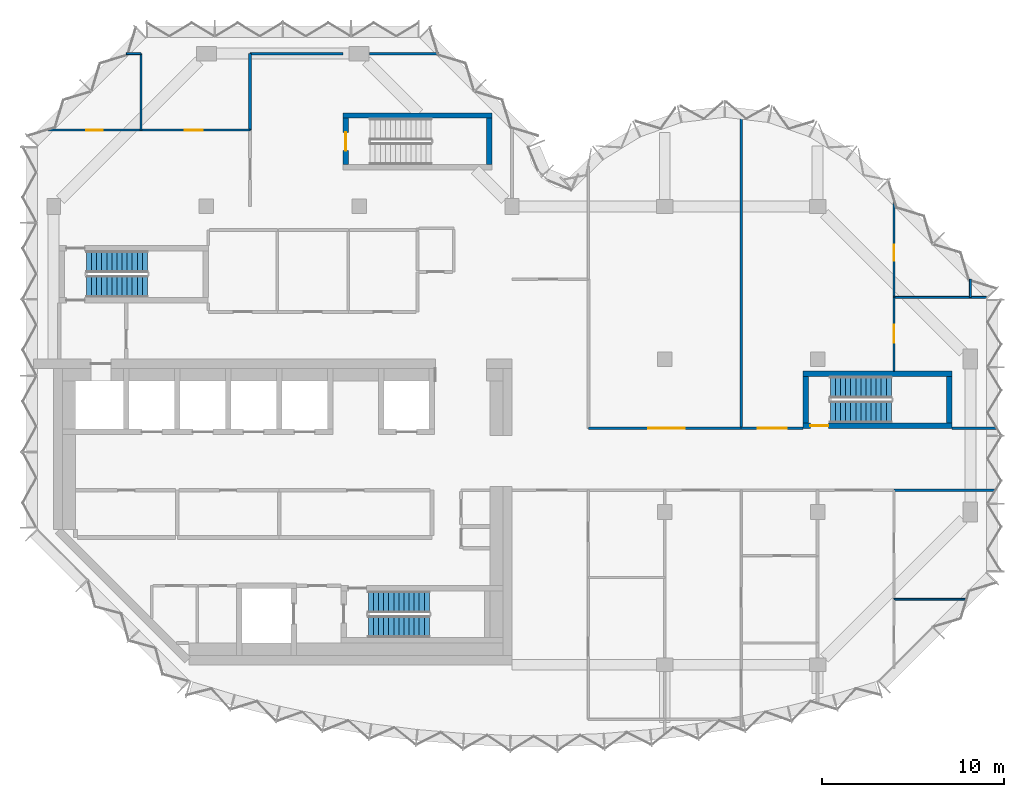
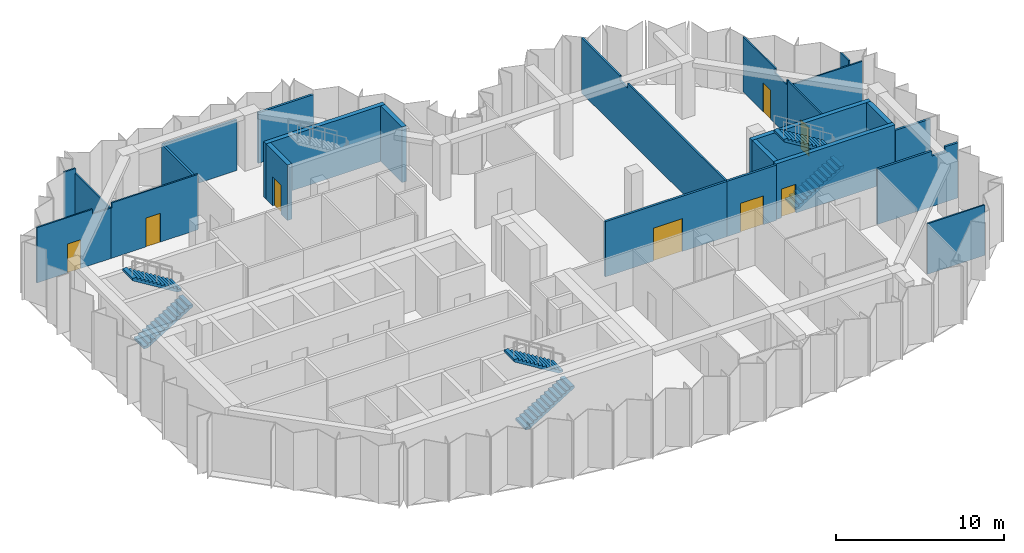
# One storey, part 7 of 10: 24 walls, 8 doors, 6 stair flights, 8 openings, 3 elements without a shape of their own.
"""IFC4 building model written with IfcOpenShell, lengths in metres."""

from ifc_helpers import new_model, si_unit, direction, frame, frame_2d, origin, place, context, subcontext, project, spatial, polyline, rectangle, outline, extrude, material, layer, layer_set, type_object, element, fill, aggregate, save


model = new_model("IFC4")

# Units and contexts
model_context = context("Model", 3, precision=1e-05, world=origin(), true_north=direction((0.0, 1.0)))
body_context = subcontext(model_context, "Body", "Model", "MODEL_VIEW")
ifc_project = project(units=[si_unit("LENGTHUNIT", "METRE"), si_unit("AREAUNIT", "SQUARE_METRE"), si_unit("VOLUMEUNIT", "CUBIC_METRE"), si_unit("PLANEANGLEUNIT", "RADIAN"), si_unit("MASSUNIT", "GRAM", prefix="KILO")], contexts=[model_context])

# Site, building, storey
site_placement = place(None, origin())
site = spatial("IfcSite", under=ifc_project, at=site_placement, CompositionType="ELEMENT")
building_placement = place(site_placement, origin())
building = spatial("IfcBuilding", under=site, at=building_placement, Name="Brevane Broadcast Tower", CompositionType="ELEMENT")
storey_placement = place(building_placement, frame((0.0, 0.0, 251.699951171875)))
storey = spatial("IfcBuildingStorey", under=building, at=storey_placement, Name="L64", CompositionType="ELEMENT", Elevation=251.699951171875)

# Wall
ifc_material_1 = material(Name="Concrete C50/60", Category="concrete")
ifc_layer_1 = layer(ifc_material_1, 0.300048828125)
ifc_layer_set_1 = layer_set([ifc_layer_1], Name="Core wall 300 mm C50/60")
wall_type_1 = type_object("IfcWallType", Name="Core wall 300 mm C50/60", PredefinedType="SHEAR", material=ifc_layer_set_1)
wall_1_placement = place(storey_placement, frame((15.89990234375, 30.199951171875, 0.0), z_axis=(0.0, 0.0, 1.0), x_axis=(1.0, 0.0, 0.0)))
element("IfcWall", 1, at=wall_1_placement, inside=storey, type_object=wall_type_1, Name="L64 stair wall ST-3-N", PredefinedType="SHEAR", context=body_context, shape_type="SweptSolid", body=[
    extrude(rectangle(XDim=8.2001953125, YDim=0.300048828125, at=frame_2d((4.10009765625, 0.0))), origin(), (0.0, 0.0, 1.0), 4.050048828125),
])

# Wall, opening, door
wall_2_placement = place(storey_placement, frame((16.050048828125, 27.5, 0.0), z_axis=(0.0, 0.0, 1.0), x_axis=(0.0, 1.0, 0.0)))
wall_2 = element("IfcWall", 2, at=wall_2_placement, inside=storey, type_object=wall_type_1, Name="L64 stair wall ST-3-W", PredefinedType="SHEAR", context=body_context, shape_type="SweptSolid", body=[
    extrude(rectangle(XDim=2.550048828125, YDim=0.300048828125, at=frame_2d((1.27490234375, 0.0))), origin(), (0.0, 0.0, 1.0), 4.050048828125),
])
opening_1_placement = place(wall_2_placement, frame((0.77490234375, 0.0, 0.0)))
opening_1 = element("IfcOpeningElement", 3, at=opening_1_placement, cuts=wall_2, Name="Opening L64-K12", PredefinedType="OPENING", context=body_context, shape_type="SweptSolid", body=[
    extrude(rectangle(XDim=1.0, YDim=2.10009765625, at=frame_2d((0.5, 1.050048828125))), frame((0.0, 0.159912109375, 0.0), z_axis=(0.0, -1.0, 0.0), x_axis=(1.0, 0.0, 0.0)), (0.0, 0.0, 1.0), 0.320068359375),
])
ifc_material_2 = material(Name="Steel", Category="steel")
door_type_1 = type_object("IfcDoorType", Name="Stair door 1000 x 2100", OperationType="SINGLE_SWING_LEFT", PredefinedType="DOOR", material=ifc_material_2)
door_1_placement = place(opening_1_placement, origin())
door_1 = element("IfcDoor", 4, at=door_1_placement, inside=storey, type_object=door_type_1, Name="Door L64-K12", OperationType="SINGLE_SWING_RIGHT", OverallHeight=2.10009765625, OverallWidth=1.0, PredefinedType="DOOR", context=body_context, shape_type="SweptSolid", body=[
    extrude(rectangle(XDim=1.0, YDim=2.10009765625, at=frame_2d((0.5, 1.050048828125))), frame((0.0, 0.02490234375, 0.0), z_axis=(0.0, -1.0, 0.0), x_axis=(1.0, 0.0, 0.0)), (0.0, 0.0, 1.0), 0.050048828125),
])
fill(opening_1, door_1)

# Wall
wall_3_placement = place(storey_placement, frame((23.949951171875, 27.5, 0.0), z_axis=(0.0, 0.0, 1.0), x_axis=(0.0, 1.0, 0.0)))
element("IfcWall", 5, at=wall_3_placement, inside=storey, type_object=wall_type_1, Name="L64 stair wall ST-3-E", PredefinedType="SHEAR", context=body_context, shape_type="SweptSolid", body=[
    extrude(rectangle(XDim=2.550048828125, YDim=0.300048828125, at=frame_2d((1.27490234375, 0.0))), origin(), (0.0, 0.0, 1.0), 4.050048828125),
])

# Wall, opening, door
wall_4_placement = place(storey_placement, frame((49.39990234375, 13.14990234375, 0.0), z_axis=(0.0, 0.0, 1.0), x_axis=(-1.0, 0.0, 0.0)))
wall_4 = element("IfcWall", 6, at=wall_4_placement, inside=storey, type_object=wall_type_1, Name="L64 stair wall ST-4-S", PredefinedType="SHEAR", context=body_context, shape_type="SweptSolid", body=[
    extrude(rectangle(XDim=8.199951171875, YDim=0.300048828125, at=frame_2d((4.10009765625, 0.0))), origin(), (0.0, 0.0, 1.0), 4.050048828125),
])
opening_2_placement = place(wall_4_placement, frame((6.800048828125, 0.0, 0.0)))
opening_2 = element("IfcOpeningElement", 7, at=opening_2_placement, cuts=wall_4, Name="Opening L64-K13", PredefinedType="OPENING", context=body_context, shape_type="SweptSolid", body=[
    extrude(rectangle(XDim=1.0, YDim=2.10009765625, at=frame_2d((0.5, 1.050048828125))), frame((0.0, 0.159912109375, 0.0), z_axis=(0.0, -1.0, 0.0), x_axis=(1.0, 0.0, 0.0)), (0.0, 0.0, 1.0), 0.320068359375),
])
door_2_placement = place(opening_2_placement, origin())
door_2 = element("IfcDoor", 8, at=door_2_placement, inside=storey, type_object=door_type_1, Name="Door L64-K13", OperationType="SINGLE_SWING_LEFT", OverallHeight=2.10009765625, OverallWidth=1.0, PredefinedType="DOOR", context=body_context, shape_type="SweptSolid", body=[
    extrude(rectangle(XDim=1.0, YDim=2.10009765625, at=frame_2d((0.5, 1.050048828125))), frame((0.0, 0.02490234375, 0.0), z_axis=(0.0, -1.0, 0.0), x_axis=(1.0, 0.0, 0.0)), (0.0, 0.0, 1.0), 0.050048828125),
])
fill(opening_2, door_2)

# Walls
wall_5_placement = place(storey_placement, frame((41.199951171875, 16.0, 0.0), z_axis=(0.0, 0.0, 1.0), x_axis=(1.0, 0.0, 0.0)))
element("IfcWall", 9, at=wall_5_placement, inside=storey, type_object=wall_type_1, Name="L64 stair wall ST-4-N", PredefinedType="SHEAR", context=body_context, shape_type="SweptSolid", body=[
    extrude(rectangle(XDim=8.199951171875, YDim=0.300048828125, at=frame_2d((4.10009765625, 0.0))), origin(), (0.0, 0.0, 1.0), 4.050048828125),
])
for number, where, z_axis, x_axis, name in (
    (10, (41.35009765625, 13.300048828125, 0.0), (0.0, 0.0, 1.0), (0.0, 1.0, 0.0), "L64 stair wall ST-4-W"),
    (11, (49.25, 13.300048828125, 0.0), (0.0, 0.0, 1.0), (0.0, 1.0, 0.0), "L64 stair wall ST-4-E"),
):
    element("IfcWall", number, at=place(storey_placement, frame(where, z_axis=z_axis, x_axis=x_axis)), inside=storey, type_object=wall_type_1, Name=name, PredefinedType="SHEAR", context=body_context, shape_type="SweptSolid", body=[
        extrude(rectangle(XDim=2.550048828125, YDim=0.300048828125, at=frame_2d((1.27490234375, 0.0))), origin(), (0.0, 0.0, 1.0), 4.050048828125),
    ])
ifc_material_3 = material(Name="Gypsum board partition")
ifc_layer_2 = layer(ifc_material_3, 0.10009765625)
ifc_layer_set_2 = layer_set([ifc_layer_2], Name="PARTITION 100 STUD")
wall_type_2 = type_object("IfcWallType", Name="PARTITION 100 STUD", PredefinedType="PARTITIONING", material=ifc_layer_set_2)
wall_6_placement = place(storey_placement, frame((46.199951171875, 3.60009765625, 0.0), z_axis=(0.0, 0.0, 1.0), x_axis=(1.0, 0.0, 0.0)))
element("IfcWall", 12, at=wall_6_placement, inside=storey, type_object=wall_type_2, Name="Partition S3-035", PredefinedType="PARTITIONING", context=body_context, shape_type="SweptSolid", body=[
    extrude(rectangle(XDim=3.9384765625, YDim=0.10009765625, at=frame_2d((1.96923828125, 0.0))), origin(), (0.0, 0.0, 1.0), 3.679931640625),
])

# Wall, opening, door
wall_7_placement = place(storey_placement, frame((46.199951171875, 20.199951171875, 0.0), z_axis=(0.0, 0.0, 1.0), x_axis=(0.0, -1.0, 0.0)))
wall_7 = element("IfcWall", 13, at=wall_7_placement, inside=storey, type_object=wall_type_2, Name="Partition S3-037", PredefinedType="PARTITIONING", context=body_context, shape_type="SweptSolid", body=[
    extrude(rectangle(XDim=4.050048828125, YDim=0.10009765625, at=frame_2d((2.02490234375, 0.0))), origin(), (0.0, 0.0, 1.0), 4.030029296875),
])
opening_3_placement = place(wall_7_placement, frame((1.5, 0.0, 0.0)))
opening_3 = element("IfcOpeningElement", 14, at=opening_3_placement, cuts=wall_7, Name="Opening D31-014", PredefinedType="OPENING", context=body_context, shape_type="SweptSolid", body=[
    extrude(rectangle(XDim=1.0, YDim=2.10009765625, at=frame_2d((0.5, 1.050048828125))), frame((0.0, 0.06005859375, 0.0), z_axis=(0.0, -1.0, 0.0), x_axis=(1.0, 0.0, 0.0)), (0.0, 0.0, 1.0), 0.1201171875),
])
ifc_material_4 = material(Name="Timber door leaf", Category="wood")
door_type_2 = type_object("IfcDoorType", Name="DOOR SINGLE 1000 INTERNAL", OperationType="SINGLE_SWING_LEFT", PredefinedType="DOOR", material=ifc_material_4)
door_3_placement = place(opening_3_placement, origin())
door_3 = element("IfcDoor", 15, at=door_3_placement, inside=storey, type_object=door_type_2, Name="Door D31-014", OperationType="SINGLE_SWING_LEFT", OverallHeight=2.10009765625, OverallWidth=1.0, PredefinedType="DOOR", context=body_context, shape_type="SweptSolid", body=[
    extrude(rectangle(XDim=1.0, YDim=2.10009765625, at=frame_2d((0.5, 1.050048828125))), frame((0.0, 0.02490234375, 0.0), z_axis=(0.0, -1.0, 0.0), x_axis=(1.0, 0.0, 0.0)), (0.0, 0.0, 1.0), 0.050048828125),
])
fill(opening_3, door_3)

wall_8_placement = place(storey_placement, frame((46.199951171875, 25.498291015625, 0.0), z_axis=(0.0, 0.0, 1.0), x_axis=(0.0, -1.0, 0.0)))
wall_8 = element("IfcWall", 16, at=wall_8_placement, inside=storey, type_object=wall_type_2, Name="Partition S3-038", PredefinedType="PARTITIONING", context=body_context, shape_type="SweptSolid", body=[
    extrude(outline(polyline([(0.0, 0.0), (5.29833984375, 0.0), (5.29833984375, 4.030029296875), (5.1640625, 4.030029296875), (5.161865234375, 3.679931640625), (3.834716796875, 3.679931640625), (3.83251953125, 4.030029296875), (0.098388671875, 4.030029296875), (0.0, 4.030029296875), (0.0, 0.0)])), frame((0.0, 0.050048828125, 0.0), z_axis=(0.0, -1.0, 0.0), x_axis=(1.0, 0.0, 0.0)), (0.0, 0.0, 1.0), 0.10009765625),
])
opening_4_placement = place(wall_8_placement, frame((2.398193359375, 0.0, 0.0)))
opening_4 = element("IfcOpeningElement", 17, at=opening_4_placement, cuts=wall_8, Name="Opening D31-015", PredefinedType="OPENING", context=body_context, shape_type="SweptSolid", body=[
    extrude(rectangle(XDim=0.89990234375, YDim=2.10009765625, at=frame_2d((0.449951171875, 1.050048828125))), frame((0.0, 0.06005859375, 0.0), z_axis=(0.0, -1.0, 0.0), x_axis=(1.0, 0.0, 0.0)), (0.0, 0.0, 1.0), 0.1201171875),
])
door_type_3 = type_object("IfcDoorType", Name="DOOR SINGLE 900 INTERNAL", OperationType="SINGLE_SWING_LEFT", PredefinedType="DOOR", material=ifc_material_4)
door_4_placement = place(opening_4_placement, origin())
door_4 = element("IfcDoor", 18, at=door_4_placement, inside=storey, type_object=door_type_3, Name="Door D31-015", OperationType="SINGLE_SWING_LEFT", OverallHeight=2.10009765625, OverallWidth=0.89990234375, PredefinedType="DOOR", context=body_context, shape_type="SweptSolid", body=[
    extrude(rectangle(XDim=0.89990234375, YDim=2.10009765625, at=frame_2d((0.449951171875, 1.050048828125))), frame((0.0, 0.02490234375, 0.0), z_axis=(0.0, -1.0, 0.0), x_axis=(1.0, 0.0, 0.0)), (0.0, 0.0, 1.0), 0.050048828125),
])
fill(opening_4, door_4)

# Walls
wall_9_placement = place(storey_placement, frame((46.199951171875, 20.199951171875, 0.0), z_axis=(0.0, 0.0, 1.0), x_axis=(1.0, 0.0, 0.0)))
element("IfcWall", 19, at=wall_9_placement, inside=storey, type_object=wall_type_2, Name="Partition S3-039", PredefinedType="PARTITIONING", context=body_context, shape_type="SweptSolid", body=[
    extrude(rectangle(XDim=5.085205078125, YDim=0.10009765625, at=frame_2d((2.54248046875, 0.0))), origin(), (0.0, 0.0, 1.0), 3.679931640625),
])
wall_10_placement = place(storey_placement, frame((50.39990234375, 20.199951171875, 0.0), z_axis=(0.0, 0.0, 1.0), x_axis=(0.0, 1.0, 0.0)))
element("IfcWall", 20, at=wall_10_placement, inside=storey, type_object=wall_type_2, Name="Partition S3-040", PredefinedType="PARTITIONING", context=body_context, shape_type="SweptSolid", body=[
    extrude(rectangle(XDim=1.0, YDim=0.10009765625, at=frame_2d((0.5, 0.0))), origin(), (0.0, 0.0, 1.0), 4.030029296875),
])

# Wall, opening, door
wall_11_placement = place(storey_placement, frame((-0.29833984375, 29.39990234375, 0.0), z_axis=(0.0, 0.0, 1.0), x_axis=(1.0, 0.0, 0.0)))
wall_11 = element("IfcWall", 21, at=wall_11_placement, inside=storey, type_object=wall_type_2, Name="Partition S3-045", PredefinedType="PARTITIONING", context=body_context, shape_type="SweptSolid", body=[
    extrude(outline(polyline([(0.0, 0.0), (5.098388671875, 0.0), (5.098388671875, 3.679931640625), (3.834716796875, 3.679931640625), (3.83251953125, 4.030029296875), (0.098388671875, 4.030029296875), (0.0, 4.030029296875), (0.0, 0.0)])), frame((0.0, 0.050048828125, 0.0), z_axis=(0.0, -1.0, 0.0), x_axis=(1.0, 0.0, 0.0)), (0.0, 0.0, 1.0), 0.10009765625),
])
opening_5_placement = place(wall_11_placement, frame((2.098388671875, 0.0, 0.0)))
opening_5 = element("IfcOpeningElement", 22, at=opening_5_placement, cuts=wall_11, Name="Opening D31-017", PredefinedType="OPENING", context=body_context, shape_type="SweptSolid", body=[
    extrude(rectangle(XDim=0.89990234375, YDim=2.10009765625, at=frame_2d((0.449951171875, 1.050048828125))), frame((0.0, 0.06005859375, 0.0), z_axis=(0.0, -1.0, 0.0), x_axis=(1.0, 0.0, 0.0)), (0.0, 0.0, 1.0), 0.1201171875),
])
door_5_placement = place(opening_5_placement, origin())
door_5 = element("IfcDoor", 23, at=door_5_placement, inside=storey, type_object=door_type_3, Name="Door D31-017", OperationType="SINGLE_SWING_LEFT", OverallHeight=2.10009765625, OverallWidth=0.89990234375, PredefinedType="DOOR", context=body_context, shape_type="SweptSolid", body=[
    extrude(rectangle(XDim=0.89990234375, YDim=2.10009765625, at=frame_2d((0.449951171875, 1.050048828125))), frame((0.0, 0.02490234375, 0.0), z_axis=(0.0, -1.0, 0.0), x_axis=(1.0, 0.0, 0.0)), (0.0, 0.0, 1.0), 0.050048828125),
])
fill(opening_5, door_5)

wall_12_placement = place(storey_placement, frame((4.800048828125, 29.39990234375, 0.0), z_axis=(0.0, 0.0, 1.0), x_axis=(1.0, 0.0, 0.0)))
wall_12 = element("IfcWall", 24, at=wall_12_placement, inside=storey, type_object=wall_type_2, Name="Partition S3-046", PredefinedType="PARTITIONING", context=body_context, shape_type="SweptSolid", body=[
    extrude(outline(polyline([(0.0, 0.0), (6.0, 0.0), (6.0, 4.030029296875), (0.065673828125, 4.030029296875), (0.063720703125, 3.679931640625), (0.0, 3.679931640625), (0.0, 0.0)])), frame((0.0, 0.050048828125, 0.0), z_axis=(0.0, -1.0, 0.0), x_axis=(1.0, 0.0, 0.0)), (0.0, 0.0, 1.0), 0.10009765625),
])
opening_6_placement = place(wall_12_placement, frame((2.39990234375, 0.0, 0.0)))
opening_6 = element("IfcOpeningElement", 25, at=opening_6_placement, cuts=wall_12, Name="Opening D31-018", PredefinedType="OPENING", context=body_context, shape_type="SweptSolid", body=[
    extrude(rectangle(XDim=1.0, YDim=2.10009765625, at=frame_2d((0.5, 1.050048828125))), frame((0.0, 0.06005859375, 0.0), z_axis=(0.0, -1.0, 0.0), x_axis=(1.0, 0.0, 0.0)), (0.0, 0.0, 1.0), 0.1201171875),
])
door_6_placement = place(opening_6_placement, origin())
door_6 = element("IfcDoor", 26, at=door_6_placement, inside=storey, type_object=door_type_2, Name="Door D31-018", OperationType="SINGLE_SWING_LEFT", OverallHeight=2.10009765625, OverallWidth=1.0, PredefinedType="DOOR", context=body_context, shape_type="SweptSolid", body=[
    extrude(rectangle(XDim=1.0, YDim=2.10009765625, at=frame_2d((0.5, 1.050048828125))), frame((0.0, 0.02490234375, 0.0), z_axis=(0.0, -1.0, 0.0), x_axis=(1.0, 0.0, 0.0)), (0.0, 0.0, 1.0), 0.050048828125),
])
fill(opening_6, door_6)

# Walls
wall_13_placement = place(storey_placement, frame((4.0, 33.60009765625, 0.0), z_axis=(0.0, 0.0, 1.0), x_axis=(1.0, 0.0, 0.0)))
element("IfcWall", 27, at=wall_13_placement, inside=storey, type_object=wall_type_2, Name="Partition S3-047", PredefinedType="PARTITIONING", context=body_context, shape_type="SweptSolid", body=[
    extrude(rectangle(XDim=0.800048828125, YDim=0.10009765625, at=frame_2d((0.39990234375, 0.0))), origin(), (0.0, 0.0, 1.0), 4.030029296875),
])
wall_14_placement = place(storey_placement, frame((4.800048828125, 33.60009765625, 0.0), z_axis=(0.0, 0.0, 1.0), x_axis=(0.0, -1.0, 0.0)))
element("IfcWall", 28, at=wall_14_placement, inside=storey, type_object=wall_type_2, Name="Partition S3-048", PredefinedType="PARTITIONING", context=body_context, shape_type="SweptSolid", body=[
    extrude(rectangle(XDim=4.2001953125, YDim=0.10009765625, at=frame_2d((2.10009765625, 0.0))), origin(), (0.0, 0.0, 1.0), 3.679931640625),
])
ifc_layer_3 = layer(ifc_material_3, 0.125)
ifc_layer_set_3 = layer_set([ifc_layer_3], Name="PARTITION 125 ACOUSTIC")
wall_type_3 = type_object("IfcWallType", Name="PARTITION 125 ACOUSTIC", PredefinedType="PARTITIONING", material=ifc_layer_set_3)
wall_15_placement = place(storey_placement, frame((37.800048828125, 30.24267578125, 0.0), z_axis=(0.0, 0.0, 1.0), x_axis=(0.0, -1.0, 0.0)))
element("IfcWall", 29, at=wall_15_placement, inside=storey, type_object=wall_type_3, Name="Partition S3-036", PredefinedType="PARTITIONING", context=body_context, shape_type="SweptSolid", body=[
    extrude(outline(polyline([(0.0, 0.0), (17.24267578125, 0.0), (17.24267578125, 4.030029296875), (5.49267578125, 4.030029296875), (5.49072265625, 3.679931640625), (4.5947265625, 3.679931640625), (4.5927734375, 4.030029296875), (0.0, 4.030029296875), (0.0, 0.0)])), frame((0.0, 0.0625, 0.0), z_axis=(0.0, -1.0, 0.0), x_axis=(1.0, 0.0, 0.0)), (0.0, 0.0, 1.0), 0.125),
])
ifc_layer_4 = layer(ifc_material_3, 0.14990234375)
ifc_layer_set_4 = layer_set([ifc_layer_4], Name="PARTITION 150 EI 60")
wall_type_4 = type_object("IfcWallType", Name="PARTITION 150 EI 60", PredefinedType="PARTITIONING", material=ifc_layer_set_4)
wall_16_placement = place(storey_placement, frame((51.732421875, 9.60009765625, 0.0), z_axis=(0.0, 0.0, 1.0), x_axis=(-1.0, 0.0, 0.0)))
element("IfcWall", 30, at=wall_16_placement, inside=storey, type_object=wall_type_4, Name="Partition S3-010", PredefinedType="PARTITIONING", context=body_context, shape_type="SweptSolid", body=[
    extrude(outline(polyline([(0.0, 0.0), (5.532470703125, 0.0), (5.5322265625, 4.030029296875), (1.7822265625, 4.030029296875), (1.7802734375, 3.679931640625), (0.88427734375, 3.679931640625), (0.88232421875, 4.030029296875), (0.252197265625, 4.030029296875), (0.0, 4.030029296875), (0.0, 0.0)])), frame((0.0, 0.074951171875, 0.0), z_axis=(0.0, -1.0, 0.0), x_axis=(1.0, 0.0, 0.0)), (0.0, 0.0, 1.0), 0.14990234375),
])

# Wall, opening, door
wall_17_placement = place(storey_placement, frame((29.39990234375, 13.0, 0.0), z_axis=(0.0, 0.0, 1.0), x_axis=(1.0, 0.0, 0.0)))
wall_17 = element("IfcWall", 31, at=wall_17_placement, inside=storey, type_object=wall_type_4, Name="Partition S3-011", PredefinedType="PARTITIONING", context=body_context, shape_type="SweptSolid", body=[
    extrude(rectangle(XDim=8.400146484375, YDim=0.14990234375, at=frame_2d((4.2001953125, 0.0))), origin(), (0.0, 0.0, 1.0), 4.030029296875),
])
opening_7_placement = place(wall_17_placement, frame((3.300048828125, 0.0, 0.0)))
opening_7 = element("IfcOpeningElement", 32, at=opening_7_placement, cuts=wall_17, Name="Opening D31-012", PredefinedType="OPENING", context=body_context, shape_type="SweptSolid", body=[
    extrude(rectangle(XDim=2.0, YDim=2.39990234375, at=frame_2d((1.0, 1.199951171875))), frame((0.0, 0.0849609375, 0.0), z_axis=(0.0, -1.0, 0.0), x_axis=(1.0, 0.0, 0.0)), (0.0, 0.0, 1.0), 0.169921875),
])
ifc_material_5 = material(Name="Fire-rated timber door leaf", Category="wood")
door_type_4 = type_object("IfcDoorType", Name="DOOR DOUBLE 2000 FD30S", OperationType="DOUBLE_DOOR_SINGLE_SWING", PredefinedType="DOOR", material=ifc_material_5)
door_7_placement = place(opening_7_placement, origin())
door_7 = element("IfcDoor", 33, at=door_7_placement, inside=storey, type_object=door_type_4, Name="Door D31-012", OperationType="DOUBLE_DOOR_SINGLE_SWING", OverallHeight=2.39990234375, OverallWidth=2.0, PredefinedType="DOOR", context=body_context, shape_type="SweptSolid", body=[
    extrude(rectangle(XDim=2.0, YDim=2.39990234375, at=frame_2d((1.0, 1.199951171875))), frame((0.0, 0.02490234375, 0.0), z_axis=(0.0, -1.0, 0.0), x_axis=(1.0, 0.0, 0.0)), (0.0, 0.0, 1.0), 0.050048828125),
])
fill(opening_7, door_7)

wall_18_placement = place(storey_placement, frame((37.800048828125, 13.0, 0.0), z_axis=(0.0, 0.0, 1.0), x_axis=(1.0, 0.0, 0.0)))
wall_18 = element("IfcWall", 34, at=wall_18_placement, inside=storey, type_object=wall_type_4, Name="Partition S3-012", PredefinedType="PARTITIONING", context=body_context, shape_type="SweptSolid", body=[
    extrude(rectangle(XDim=3.39990234375, YDim=0.14990234375, at=frame_2d((1.699951171875, 0.0))), origin(), (0.0, 0.0, 1.0), 4.030029296875),
])
opening_8_placement = place(wall_18_placement, frame((0.89990234375, 0.0, 0.0)))
opening_8 = element("IfcOpeningElement", 35, at=opening_8_placement, cuts=wall_18, Name="Opening D31-013", PredefinedType="OPENING", context=body_context, shape_type="SweptSolid", body=[
    extrude(rectangle(XDim=1.60009765625, YDim=2.10009765625, at=frame_2d((0.800048828125, 1.050048828125))), frame((0.0, 0.0849609375, 0.0), z_axis=(0.0, -1.0, 0.0), x_axis=(1.0, 0.0, 0.0)), (0.0, 0.0, 1.0), 0.169921875),
])
door_type_5 = type_object("IfcDoorType", Name="DOOR DOUBLE 1600 FD30S", OperationType="DOUBLE_DOOR_SINGLE_SWING", PredefinedType="DOOR", material=ifc_material_5)
door_8_placement = place(opening_8_placement, origin())
door_8 = element("IfcDoor", 36, at=door_8_placement, inside=storey, type_object=door_type_5, Name="Door D31-013", OperationType="DOUBLE_DOOR_SINGLE_SWING", OverallHeight=2.10009765625, OverallWidth=1.60009765625, PredefinedType="DOOR", context=body_context, shape_type="SweptSolid", body=[
    extrude(rectangle(XDim=1.60009765625, YDim=2.10009765625, at=frame_2d((0.800048828125, 1.050048828125))), frame((0.0, 0.02490234375, 0.0), z_axis=(0.0, -1.0, 0.0), x_axis=(1.0, 0.0, 0.0)), (0.0, 0.0, 1.0), 0.050048828125),
])
fill(opening_8, door_8)

# Walls
wall_19_placement = place(storey_placement, frame((49.39990234375, 13.0, 0.0), z_axis=(0.0, 0.0, 1.0), x_axis=(1.0, 0.0, 0.0)))
element("IfcWall", 37, at=wall_19_placement, inside=storey, type_object=wall_type_4, Name="Partition S3-013", PredefinedType="PARTITIONING", context=body_context, shape_type="SweptSolid", body=[
    extrude(rectangle(XDim=2.417236328125, YDim=0.14990234375, at=frame_2d((1.20849609375, 0.0))), origin(), (0.0, 0.0, 1.0), 3.679931640625),
])
wall_20_placement = place(storey_placement, frame((10.800048828125, 29.39990234375, 0.0), z_axis=(0.0, 0.0, 1.0), x_axis=(0.0, 1.0, 0.0)))
element("IfcWall", 38, at=wall_20_placement, inside=storey, type_object=wall_type_4, Name="Partition S3-042", PredefinedType="PARTITIONING", context=body_context, shape_type="SweptSolid", body=[
    extrude(rectangle(XDim=4.2001953125, YDim=0.14990234375, at=frame_2d((2.10009765625, 0.0))), origin(), (0.0, 0.0, 1.0), 3.679931640625),
])
wall_21_placement = place(storey_placement, frame((10.800048828125, 33.60009765625, 0.0), z_axis=(0.0, 0.0, 1.0), x_axis=(1.0, 0.0, 0.0)))
element("IfcWall", 39, at=wall_21_placement, inside=storey, type_object=wall_type_4, Name="Partition S3-043", PredefinedType="PARTITIONING", context=body_context, shape_type="SweptSolid", body=[
    extrude(outline(polyline([(0.0, 0.0), (5.099853515625, 0.0), (5.10009765625, 3.679931640625), (0.0, 3.679931640625), (0.0, 0.0)])), frame((0.0, 0.074951171875, 0.0), z_axis=(0.0, -1.0, 0.0), x_axis=(1.0, 0.0, 0.0)), (0.0, 0.0, 1.0), 0.14990234375),
])
wall_22_placement = place(storey_placement, frame((17.3701171875, 33.60009765625, 0.0), z_axis=(0.0, 0.0, 1.0), x_axis=(1.0, 0.0, 0.0)))
element("IfcWall", 40, at=wall_22_placement, inside=storey, type_object=wall_type_4, Name="Partition S3-044", PredefinedType="PARTITIONING", context=body_context, shape_type="SweptSolid", body=[
    extrude(rectangle(XDim=3.829833984375, YDim=0.14990234375, at=frame_2d((1.9150390625, 0.0))), origin(), (0.0, 0.0, 1.0), 3.679931640625),
])

# Stair, stair flights
stair_type = type_object("IfcStairType", Name="Exit stair 26 risers", PredefinedType="HALF_TURN_STAIR", material=ifc_material_1)
stair_1_placement = place(storey_placement, origin())
stair_1 = element("IfcStair", 41, at=stair_1_placement, inside=storey, type_object=stair_type, Name="L64 Exit stair ST-1", PredefinedType="HALF_TURN_STAIR")
stair_flight_type = type_object("IfcStairFlightType", Name="Exit stair flight 26 risers", PredefinedType="STRAIGHT", material=ifc_material_1)
stair_flight_1_placement = place(storey_placement, frame((1.800048828125, 20.800048828125, 0.0), z_axis=(0.0, 0.0, 1.0), x_axis=(1.0, 0.0, 0.0)))
stair_flight_1 = element("IfcStairFlight", 42, at=stair_flight_1_placement, type_object=stair_flight_type, Name="ST-1 flight 1", NumberOfRisers=13, NumberOfTreads=12, PredefinedType="STRAIGHT", RiserHeight=0.173076923, TreadLength=0.28, context=body_context, shape_type="SweptSolid", body=[
    extrude(outline(polyline([(0.0, 0.0), (0.0, 0.173095703125), (0.280029296875, 0.173095703125), (0.280029296875, 0.34619140625), (0.56005859375, 0.34619140625), (0.56005859375, 0.519287109375), (0.840087890625, 0.519287109375), (0.840087890625, 0.6923828125), (1.1201171875, 0.6923828125), (1.1201171875, 0.865478515625), (1.39990234375, 0.865478515625), (1.39990234375, 1.03857421875), (1.679931640625, 1.03857421875), (1.679931640625, 1.21142578125), (1.9599609375, 1.21142578125), (1.9599609375, 1.384521484375), (2.239990234375, 1.384521484375), (2.239990234375, 1.5576171875), (2.52001953125, 1.5576171875), (2.52001953125, 1.730712890625), (2.800048828125, 1.730712890625), (2.800048828125, 1.90380859375), (3.080078125, 1.90380859375), (3.080078125, 2.076904296875), (3.360107421875, 2.076904296875), (3.360107421875, 2.25), (3.360107421875, 1.900634765625), (0.28515625, 0.0), (0.0, 0.0)])), frame((0.0, 0.60009765625, 0.0), z_axis=(0.0, -1.0, 0.0), x_axis=(1.0, 0.0, 0.0)), (0.0, 0.0, 1.0), 1.199951171875),
])
stair_flight_2_placement = place(storey_placement, frame((5.159912109375, 22.14990234375, 2.25), z_axis=(0.0, 0.0, 1.0), x_axis=(-1.0, 0.0, 0.0)))
stair_flight_2 = element("IfcStairFlight", 43, at=stair_flight_2_placement, type_object=stair_flight_type, Name="ST-1 flight 2", NumberOfRisers=13, NumberOfTreads=12, PredefinedType="STRAIGHT", RiserHeight=0.173076923, TreadLength=0.28, context=body_context, shape_type="SweptSolid", body=[
    extrude(outline(polyline([(0.0, 0.0), (0.0, 0.173095703125), (0.280029296875, 0.173095703125), (0.280029296875, 0.34619140625), (0.56005859375, 0.34619140625), (0.56005859375, 0.519287109375), (0.840087890625, 0.519287109375), (0.840087890625, 0.6923828125), (1.1201171875, 0.6923828125), (1.1201171875, 0.865478515625), (1.39990234375, 0.865478515625), (1.39990234375, 1.03857421875), (1.679931640625, 1.03857421875), (1.679931640625, 1.21142578125), (1.9599609375, 1.21142578125), (1.9599609375, 1.384521484375), (2.239990234375, 1.384521484375), (2.239990234375, 1.5576171875), (2.52001953125, 1.5576171875), (2.52001953125, 1.730712890625), (2.800048828125, 1.730712890625), (2.800048828125, 1.90380859375), (3.080078125, 1.90380859375), (3.080078125, 2.076904296875), (3.360107421875, 2.076904296875), (3.360107421875, 2.25), (3.360107421875, 1.900634765625), (0.28515625, 0.0), (0.0, 0.0)])), frame((0.0, 0.60009765625, 0.0), z_axis=(0.0, -1.0, 0.0), x_axis=(1.0, 0.0, 0.0)), (0.0, 0.0, 1.0), 1.199951171875),
])
aggregate(stair_1, [stair_flight_1, stair_flight_2])

stair_2_placement = place(storey_placement, origin())
stair_2 = element("IfcStair", 44, at=stair_2_placement, inside=storey, type_object=stair_type, Name="L64 Exit stair ST-2", PredefinedType="HALF_TURN_STAIR")
stair_flight_3_placement = place(storey_placement, frame((17.300048828125, 2.10009765625, 0.0), z_axis=(0.0, 0.0, 1.0), x_axis=(1.0, 0.0, 0.0)))
stair_flight_3 = element("IfcStairFlight", 45, at=stair_flight_3_placement, type_object=stair_flight_type, Name="ST-2 flight 1", NumberOfRisers=13, NumberOfTreads=12, PredefinedType="STRAIGHT", RiserHeight=0.173076923, TreadLength=0.28, context=body_context, shape_type="SweptSolid", body=[
    extrude(outline(polyline([(0.0, 0.0), (0.0, 0.173095703125), (0.280029296875, 0.173095703125), (0.280029296875, 0.34619140625), (0.56005859375, 0.34619140625), (0.56005859375, 0.519287109375), (0.840087890625, 0.519287109375), (0.840087890625, 0.6923828125), (1.1201171875, 0.6923828125), (1.1201171875, 0.865478515625), (1.39990234375, 0.865478515625), (1.39990234375, 1.03857421875), (1.679931640625, 1.03857421875), (1.679931640625, 1.21142578125), (1.9599609375, 1.21142578125), (1.9599609375, 1.384521484375), (2.239990234375, 1.384521484375), (2.239990234375, 1.5576171875), (2.52001953125, 1.5576171875), (2.52001953125, 1.730712890625), (2.800048828125, 1.730712890625), (2.800048828125, 1.90380859375), (3.080078125, 1.90380859375), (3.080078125, 2.076904296875), (3.360107421875, 2.076904296875), (3.360107421875, 2.25), (3.360107421875, 1.900634765625), (0.28515625, 0.0), (0.0, 0.0)])), frame((0.0, 0.60009765625, 0.0), z_axis=(0.0, -1.0, 0.0), x_axis=(1.0, 0.0, 0.0)), (0.0, 0.0, 1.0), 1.199951171875),
])
stair_flight_4_placement = place(storey_placement, frame((20.659912109375, 3.449951171875, 2.25), z_axis=(0.0, 0.0, 1.0), x_axis=(-1.0, 0.0, 0.0)))
stair_flight_4 = element("IfcStairFlight", 46, at=stair_flight_4_placement, type_object=stair_flight_type, Name="ST-2 flight 2", NumberOfRisers=13, NumberOfTreads=12, PredefinedType="STRAIGHT", RiserHeight=0.173076923, TreadLength=0.28, context=body_context, shape_type="SweptSolid", body=[
    extrude(outline(polyline([(0.0, 0.0), (0.0, 0.173095703125), (0.280029296875, 0.173095703125), (0.280029296875, 0.34619140625), (0.56005859375, 0.34619140625), (0.56005859375, 0.519287109375), (0.840087890625, 0.519287109375), (0.840087890625, 0.6923828125), (1.1201171875, 0.6923828125), (1.1201171875, 0.865478515625), (1.39990234375, 0.865478515625), (1.39990234375, 1.03857421875), (1.679931640625, 1.03857421875), (1.679931640625, 1.21142578125), (1.9599609375, 1.21142578125), (1.9599609375, 1.384521484375), (2.239990234375, 1.384521484375), (2.239990234375, 1.5576171875), (2.52001953125, 1.5576171875), (2.52001953125, 1.730712890625), (2.800048828125, 1.730712890625), (2.800048828125, 1.90380859375), (3.080078125, 1.90380859375), (3.080078125, 2.076904296875), (3.360107421875, 2.076904296875), (3.360107421875, 2.25), (3.360107421875, 1.900634765625), (0.28515625, 0.0), (0.0, 0.0)])), frame((0.0, 0.60009765625, 0.0), z_axis=(0.0, -1.0, 0.0), x_axis=(1.0, 0.0, 0.0)), (0.0, 0.0, 1.0), 1.199951171875),
])
aggregate(stair_2, [stair_flight_3, stair_flight_4])

stair_3_placement = place(storey_placement, origin())
stair_3 = element("IfcStair", 47, at=stair_3_placement, inside=storey, type_object=stair_type, Name="L64 Exit stair ST-4", PredefinedType="HALF_TURN_STAIR")
stair_flight_5_placement = place(storey_placement, frame((42.699951171875, 13.89990234375, 0.0), z_axis=(0.0, 0.0, 1.0), x_axis=(1.0, 0.0, 0.0)))
stair_flight_5 = element("IfcStairFlight", 48, at=stair_flight_5_placement, type_object=stair_flight_type, Name="ST-4 flight 1", NumberOfRisers=13, NumberOfTreads=12, PredefinedType="STRAIGHT", RiserHeight=0.173076923, TreadLength=0.28, context=body_context, shape_type="SweptSolid", body=[
    extrude(outline(polyline([(0.0, 0.0), (0.0, 0.173095703125), (0.280029296875, 0.173095703125), (0.280029296875, 0.34619140625), (0.56005859375, 0.34619140625), (0.56005859375, 0.519287109375), (0.840087890625, 0.519287109375), (0.840087890625, 0.6923828125), (1.1201171875, 0.6923828125), (1.1201171875, 0.865478515625), (1.39990234375, 0.865478515625), (1.39990234375, 1.03857421875), (1.679931640625, 1.03857421875), (1.679931640625, 1.21142578125), (1.9599609375, 1.21142578125), (1.9599609375, 1.384521484375), (2.239990234375, 1.384521484375), (2.239990234375, 1.5576171875), (2.52001953125, 1.5576171875), (2.52001953125, 1.730712890625), (2.800048828125, 1.730712890625), (2.800048828125, 1.90380859375), (3.080078125, 1.90380859375), (3.080078125, 2.076904296875), (3.360107421875, 2.076904296875), (3.360107421875, 2.25), (3.360107421875, 1.900634765625), (0.28515625, 0.0), (0.0, 0.0)])), frame((0.0, 0.60009765625, 0.0), z_axis=(0.0, -1.0, 0.0), x_axis=(1.0, 0.0, 0.0)), (0.0, 0.0, 1.0), 1.199951171875),
])
stair_flight_6_placement = place(storey_placement, frame((46.06005859375, 15.25, 2.25), z_axis=(0.0, 0.0, 1.0), x_axis=(-1.0, 0.0, 0.0)))
stair_flight_6 = element("IfcStairFlight", 49, at=stair_flight_6_placement, type_object=stair_flight_type, Name="ST-4 flight 2", NumberOfRisers=13, NumberOfTreads=12, PredefinedType="STRAIGHT", RiserHeight=0.173076923, TreadLength=0.28, context=body_context, shape_type="SweptSolid", body=[
    extrude(outline(polyline([(0.0, 0.0), (0.0, 0.173095703125), (0.280029296875, 0.173095703125), (0.280029296875, 0.34619140625), (0.56005859375, 0.34619140625), (0.56005859375, 0.519287109375), (0.840087890625, 0.519287109375), (0.840087890625, 0.6923828125), (1.1201171875, 0.6923828125), (1.1201171875, 0.865478515625), (1.39990234375, 0.865478515625), (1.39990234375, 1.03857421875), (1.679931640625, 1.03857421875), (1.679931640625, 1.21142578125), (1.9599609375, 1.21142578125), (1.9599609375, 1.384521484375), (2.239990234375, 1.384521484375), (2.239990234375, 1.5576171875), (2.52001953125, 1.5576171875), (2.52001953125, 1.730712890625), (2.800048828125, 1.730712890625), (2.800048828125, 1.90380859375), (3.080078125, 1.90380859375), (3.080078125, 2.076904296875), (3.360107421875, 2.076904296875), (3.360107421875, 2.25), (3.360107421875, 1.900634765625), (0.28515625, 0.0), (0.0, 0.0)])), frame((0.0, 0.60009765625, 0.0), z_axis=(0.0, -1.0, 0.0), x_axis=(1.0, 0.0, 0.0)), (0.0, 0.0, 1.0), 1.199951171875),
])
aggregate(stair_3, [stair_flight_5, stair_flight_6])

save(model, "model.ifc")
